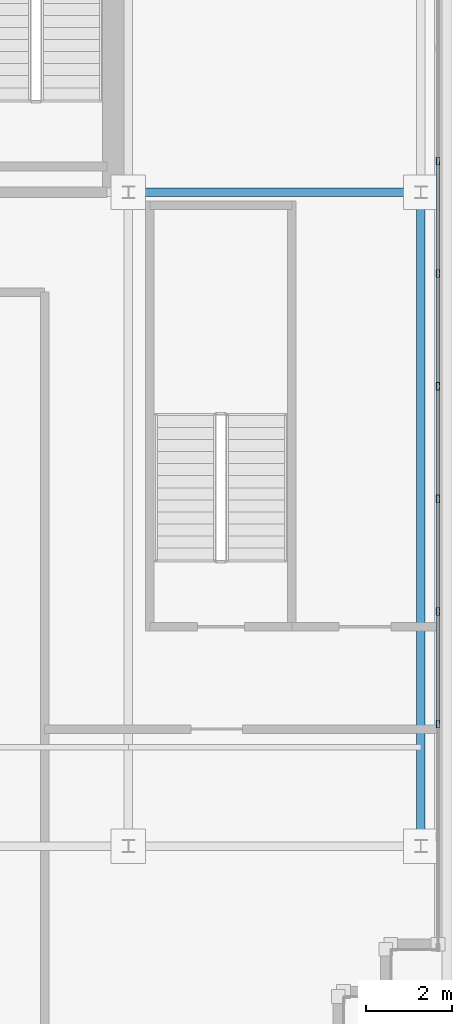
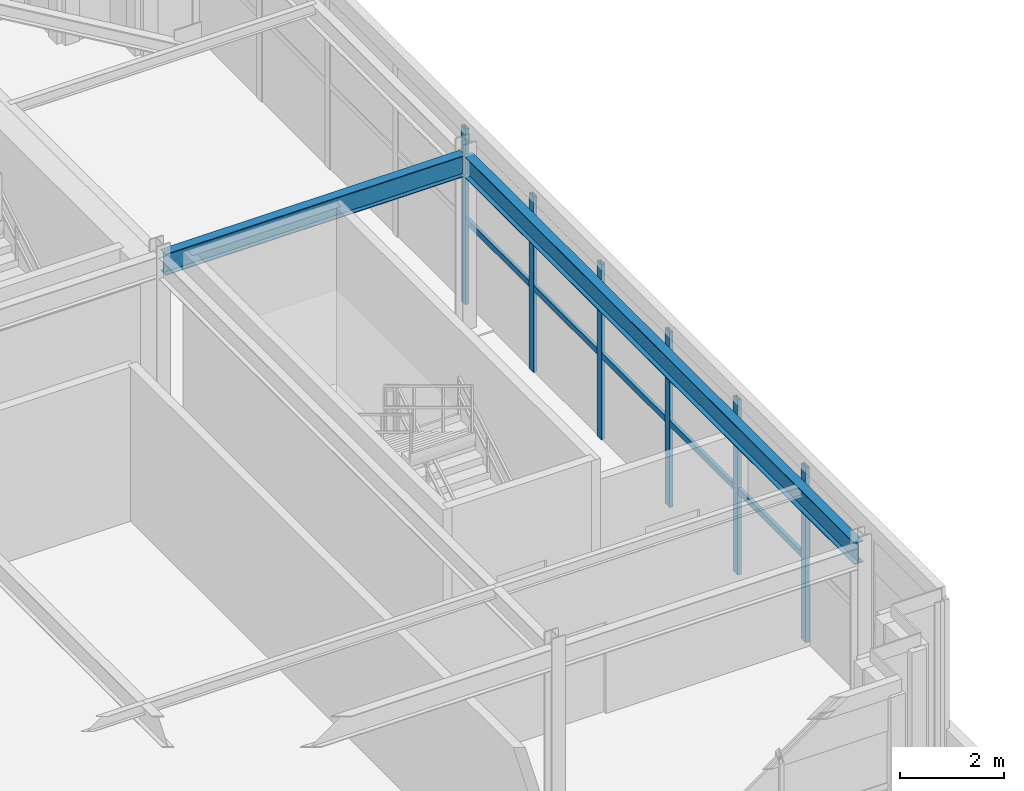
# One storey, part 15 of 38: 11 members, 2 beams, 1 element without a shape of its own.
"""IFC4 building model written with IfcOpenShell, lengths in metres."""

from ifc_helpers import new_model, si_unit, direction, frame, origin, origin_2d, place, context, subcontext, project, spatial, hollow_rectangle, i_section, extrude, source, transform, mapped, material, material_profile, profile_set, type_object, element, aggregate, save


model = new_model("IFC4")

# Units and contexts
model_context = context("Model", 3, precision=1e-05, world=origin(), true_north=direction((0.0, 1.0)))
body_context = subcontext(model_context, "Body", "Model", "MODEL_VIEW")
ifc_project = project(units=[si_unit("LENGTHUNIT", "METRE"), si_unit("AREAUNIT", "SQUARE_METRE"), si_unit("VOLUMEUNIT", "CUBIC_METRE"), si_unit("PLANEANGLEUNIT", "RADIAN"), si_unit("MASSUNIT", "GRAM", prefix="KILO")], contexts=[model_context])

# Site, building, storey
site_placement = place(None, origin())
site = spatial("IfcSite", under=ifc_project, at=site_placement, CompositionType="ELEMENT")
building_placement = place(site_placement, origin())
building = spatial("IfcBuilding", under=site, at=building_placement, Name="Trelvane Seafront Commons", CompositionType="ELEMENT")
storey_placement = place(building_placement, frame((0.0, 0.0, 299.10009765625)))
storey = spatial("IfcBuildingStorey", under=building, at=storey_placement, Name="L78", CompositionType="ELEMENT", Elevation=299.10009765625)

# Beams
ifc_material_1 = material(Name="Steel SM355 (S355)", Category="steel")
ifc_material_profile_1 = material_profile(ifc_material_1, i_section(OverallWidth=0.199951171875, OverallDepth=0.5, WebThickness=0.010009765625, FlangeThickness=0.01611328125, at=origin_2d()), Name="H-500x200x10x16")
ifc_profile_set_1 = profile_set([ifc_material_profile_1], Name="Steel SM355 (S355)")
beam_type_1 = type_object("IfcBeamType", Name="STR-CROWN-FRAME-RING", PredefinedType="SPANDREL", material=ifc_profile_set_1)
shared_shape_1 = source(origin(), body_context, "Body", "SweptSolid", [
    extrude(i_section(OverallWidth=0.199951171875, OverallDepth=0.5, WebThickness=0.010009765625, FlangeThickness=0.01611328125, at=origin_2d()), origin(), (0.0, 0.0, 1.0), 6.64990234375),
])
beam_1_placement = place(storey_placement, frame((58.875, 33.39990234375, 3.869873046875), z_axis=(1.0, 0.0, 0.0), x_axis=(0.0, 1.0, 0.0)))
element("IfcBeam", 1, at=beam_1_placement, inside=storey, type_object=beam_type_1, Name="L78 CROWN FRAME Ring Beam G-14", PredefinedType="SPANDREL", context=body_context, shape_type="MappedRepresentation", body=[
    mapped(shared_shape_1, transform((0.0, 0.0, 0.0), x_axis=(1.0, 0.0, 0.0), y_axis=(0.0, 1.0, 0.0), z_axis=(0.0, 0.0, 1.0), scale=1.0)),
])
ifc_material_profile_2 = material_profile(ifc_material_1, i_section(OverallWidth=0.199951171875, OverallDepth=0.5, WebThickness=0.010009765625, FlangeThickness=0.01611328125, at=origin_2d()), Name="H-500x200x10x16")
ifc_profile_set_2 = profile_set([ifc_material_profile_2], Name="Steel SM355 (S355)")
beam_type_2 = type_object("IfcBeamType", Name="STR-BM-H500", PredefinedType="BEAM", material=ifc_profile_set_2)
shared_shape_2 = source(origin(), body_context, "Body", "SweptSolid", [
    extrude(i_section(OverallWidth=0.199951171875, OverallDepth=0.5, WebThickness=0.010009765625, FlangeThickness=0.01611328125, at=origin_2d()), origin(), (0.0, 0.0, 1.0), 15.050048828125),
])
beam_2_placement = place(storey_placement, frame((65.60009765625, 18.27490234375, 3.869873046875), z_axis=(0.0, 1.0, 0.0), x_axis=(-1.0, 0.0, 0.0)))
element("IfcBeam", 2, at=beam_2_placement, inside=storey, type_object=beam_type_2, Name="L78 Primary Girder G-36", PredefinedType="BEAM", context=body_context, shape_type="MappedRepresentation", body=[
    mapped(shared_shape_2, transform((0.0, 0.0, 0.0), x_axis=(1.0, 0.0, 0.0), y_axis=(0.0, 1.0, 0.0), z_axis=(0.0, 0.0, 1.0), scale=1.0)),
])

# Curtain wall, members
ifc_material_2 = material(Name="Anodised pale-silver aluminium", Category="aluminium")
curtain_wall_type = type_object("IfcCurtainWallType", Name="ARCH-CW6-CROWN", PredefinedType="NOTDEFINED", material=ifc_material_2)
curtain_wall_placement = place(storey_placement, origin())
curtain_wall = element("IfcCurtainWall", 3, at=curtain_wall_placement, inside=storey, type_object=curtain_wall_type, Name="CW-L78-0126", PredefinedType="NOTDEFINED")
ifc_material_profile_3 = material_profile(ifc_material_2, hollow_rectangle(XDim=0.080078125, YDim=0.179931640625, WallThickness=0.00439453125, at=origin_2d()), Name="MULL-80x180x4.5")
ifc_profile_set_3 = profile_set([ifc_material_profile_3], Name="Anodised pale-silver aluminium")
member_type_1 = type_object("IfcMemberType", Name="ARCH-CW-MULL-180", PredefinedType="MULLION", material=ifc_profile_set_3)
shared_shape_3 = source(origin(), body_context, "Body", "SweptSolid", [
    extrude(hollow_rectangle(XDim=0.080078125, YDim=0.179931640625, WallThickness=0.00439453125, at=origin_2d()), origin(), (0.0, 0.0, 1.0), 4.119873046875),
])
member_1_placement = place(storey_placement, frame((66.0, 34.127197265625, 0.0), z_axis=(0.0, 0.0, 1.0), x_axis=(1.0, 0.0, 0.0)))
member_1 = element("IfcMember", 4, at=member_1_placement, type_object=member_type_1, Name="CW-L78-0126-M04", PredefinedType="MULLION", context=body_context, shape_type="MappedRepresentation", body=[
    mapped(shared_shape_3, transform((0.0, 0.0, 0.0), x_axis=(1.0, 0.0, 0.0), y_axis=(0.0, 1.0, 0.0), z_axis=(0.0, 0.0, 1.0), scale=1.0)),
])
member_2_placement = place(storey_placement, frame((66.0, 31.509033203125, 0.0), z_axis=(0.0, 0.0, 1.0), x_axis=(1.0, 0.0, 0.0)))
member_2 = element("IfcMember", 5, at=member_2_placement, type_object=member_type_1, Name="CW-L78-0126-M05", PredefinedType="MULLION", context=body_context, shape_type="MappedRepresentation", body=[
    mapped(shared_shape_3, transform((0.0, 0.0, 0.0), x_axis=(1.0, 0.0, 0.0), y_axis=(0.0, 1.0, 0.0), z_axis=(0.0, 0.0, 1.0), scale=1.0)),
])
member_3_placement = place(storey_placement, frame((66.0, 28.890869140625, 0.0), z_axis=(0.0, 0.0, 1.0), x_axis=(1.0, 0.0, 0.0)))
member_3 = element("IfcMember", 6, at=member_3_placement, type_object=member_type_1, Name="CW-L78-0126-M06", PredefinedType="MULLION", context=body_context, shape_type="MappedRepresentation", body=[
    mapped(shared_shape_3, transform((0.0, 0.0, 0.0), x_axis=(1.0, 0.0, 0.0), y_axis=(0.0, 1.0, 0.0), z_axis=(0.0, 0.0, 1.0), scale=1.0)),
])
member_4_placement = place(storey_placement, frame((66.0, 26.272705078125, 0.0), z_axis=(0.0, 0.0, 1.0), x_axis=(1.0, 0.0, 0.0)))
member_4 = element("IfcMember", 7, at=member_4_placement, type_object=member_type_1, Name="CW-L78-0126-M07", PredefinedType="MULLION", context=body_context, shape_type="MappedRepresentation", body=[
    mapped(shared_shape_3, transform((0.0, 0.0, 0.0), x_axis=(1.0, 0.0, 0.0), y_axis=(0.0, 1.0, 0.0), z_axis=(0.0, 0.0, 1.0), scale=1.0)),
])
member_5_placement = place(storey_placement, frame((66.0, 23.654541015625, 0.0), z_axis=(0.0, 0.0, 1.0), x_axis=(1.0, 0.0, 0.0)))
member_5 = element("IfcMember", 8, at=member_5_placement, type_object=member_type_1, Name="CW-L78-0126-M08", PredefinedType="MULLION", context=body_context, shape_type="MappedRepresentation", body=[
    mapped(shared_shape_3, transform((0.0, 0.0, 0.0), x_axis=(1.0, 0.0, 0.0), y_axis=(0.0, 1.0, 0.0), z_axis=(0.0, 0.0, 1.0), scale=1.0)),
])
member_6_placement = place(storey_placement, frame((66.0, 21.036376953125, 0.0), z_axis=(0.0, 0.0, 1.0), x_axis=(1.0, 0.0, 0.0)))
member_6 = element("IfcMember", 9, at=member_6_placement, type_object=member_type_1, Name="CW-L78-0126-M09", PredefinedType="MULLION", context=body_context, shape_type="MappedRepresentation", body=[
    mapped(shared_shape_3, transform((0.0, 0.0, 0.0), x_axis=(1.0, 0.0, 0.0), y_axis=(0.0, 1.0, 0.0), z_axis=(0.0, 0.0, 1.0), scale=1.0)),
])
ifc_material_profile_4 = material_profile(ifc_material_2, hollow_rectangle(XDim=0.074951171875, YDim=0.139892578125, WallThickness=0.00390625, at=origin_2d()), Name="TRAN-75x140x4")
ifc_profile_set_4 = profile_set([ifc_material_profile_4], Name="Anodised pale-silver aluminium")
member_type_2 = type_object("IfcMemberType", Name="ARCH-CW-TRAN-140", PredefinedType="USERDEFINED", material=ifc_profile_set_4)
shared_shape_4 = source(origin(), body_context, "Body", "SweptSolid", [
    extrude(hollow_rectangle(XDim=0.074951171875, YDim=0.139892578125, WallThickness=0.00390625, at=origin_2d()), origin(), (0.0, 0.0, 1.0), 2.59423828125),
])
member_7_placement = place(storey_placement, frame((66.0, 34.115234375, 1.977783203125), z_axis=(0.0, -1.0, 0.0), x_axis=(1.0, 0.0, 0.0)))
member_7 = element("IfcMember", 10, at=member_7_placement, type_object=member_type_2, Name="CW-L78-0126-T04", ObjectType="TRANSOM", PredefinedType="USERDEFINED", context=body_context, shape_type="MappedRepresentation", body=[
    mapped(shared_shape_4, transform((0.0, 0.0, 0.0), x_axis=(1.0, 0.0, 0.0), y_axis=(0.0, 1.0, 0.0), z_axis=(0.0, 0.0, 1.0), scale=1.0)),
])
member_8_placement = place(storey_placement, frame((66.0, 31.4970703125, 1.977783203125), z_axis=(0.0, -1.0, 0.0), x_axis=(1.0, 0.0, 0.0)))
member_8 = element("IfcMember", 11, at=member_8_placement, type_object=member_type_2, Name="CW-L78-0126-T05", ObjectType="TRANSOM", PredefinedType="USERDEFINED", context=body_context, shape_type="MappedRepresentation", body=[
    mapped(shared_shape_4, transform((0.0, 0.0, 0.0), x_axis=(1.0, 0.0, 0.0), y_axis=(0.0, 1.0, 0.0), z_axis=(0.0, 0.0, 1.0), scale=1.0)),
])
member_9_placement = place(storey_placement, frame((66.0, 28.87890625, 1.977783203125), z_axis=(0.0, -1.0, 0.0), x_axis=(1.0, 0.0, 0.0)))
member_9 = element("IfcMember", 12, at=member_9_placement, type_object=member_type_2, Name="CW-L78-0126-T06", ObjectType="TRANSOM", PredefinedType="USERDEFINED", context=body_context, shape_type="MappedRepresentation", body=[
    mapped(shared_shape_4, transform((0.0, 0.0, 0.0), x_axis=(1.0, 0.0, 0.0), y_axis=(0.0, 1.0, 0.0), z_axis=(0.0, 0.0, 1.0), scale=1.0)),
])
member_10_placement = place(storey_placement, frame((66.0, 26.2607421875, 1.977783203125), z_axis=(0.0, -1.0, 0.0), x_axis=(1.0, 0.0, 0.0)))
member_10 = element("IfcMember", 13, at=member_10_placement, type_object=member_type_2, Name="CW-L78-0126-T07", ObjectType="TRANSOM", PredefinedType="USERDEFINED", context=body_context, shape_type="MappedRepresentation", body=[
    mapped(shared_shape_4, transform((0.0, 0.0, 0.0), x_axis=(1.0, 0.0, 0.0), y_axis=(0.0, 1.0, 0.0), z_axis=(0.0, 0.0, 1.0), scale=1.0)),
])
member_11_placement = place(storey_placement, frame((66.0, 23.642578125, 1.977783203125), z_axis=(0.0, -1.0, 0.0), x_axis=(1.0, 0.0, 0.0)))
member_11 = element("IfcMember", 14, at=member_11_placement, type_object=member_type_2, Name="CW-L78-0126-T08", ObjectType="TRANSOM", PredefinedType="USERDEFINED", context=body_context, shape_type="MappedRepresentation", body=[
    mapped(shared_shape_4, transform((0.0, 0.0, 0.0), x_axis=(1.0, 0.0, 0.0), y_axis=(0.0, 1.0, 0.0), z_axis=(0.0, 0.0, 1.0), scale=1.0)),
])
aggregate(curtain_wall, [member_1, member_2, member_3, member_4, member_5, member_6, member_7, member_8, member_9, member_10, member_11])

save(model, "model.ifc")
